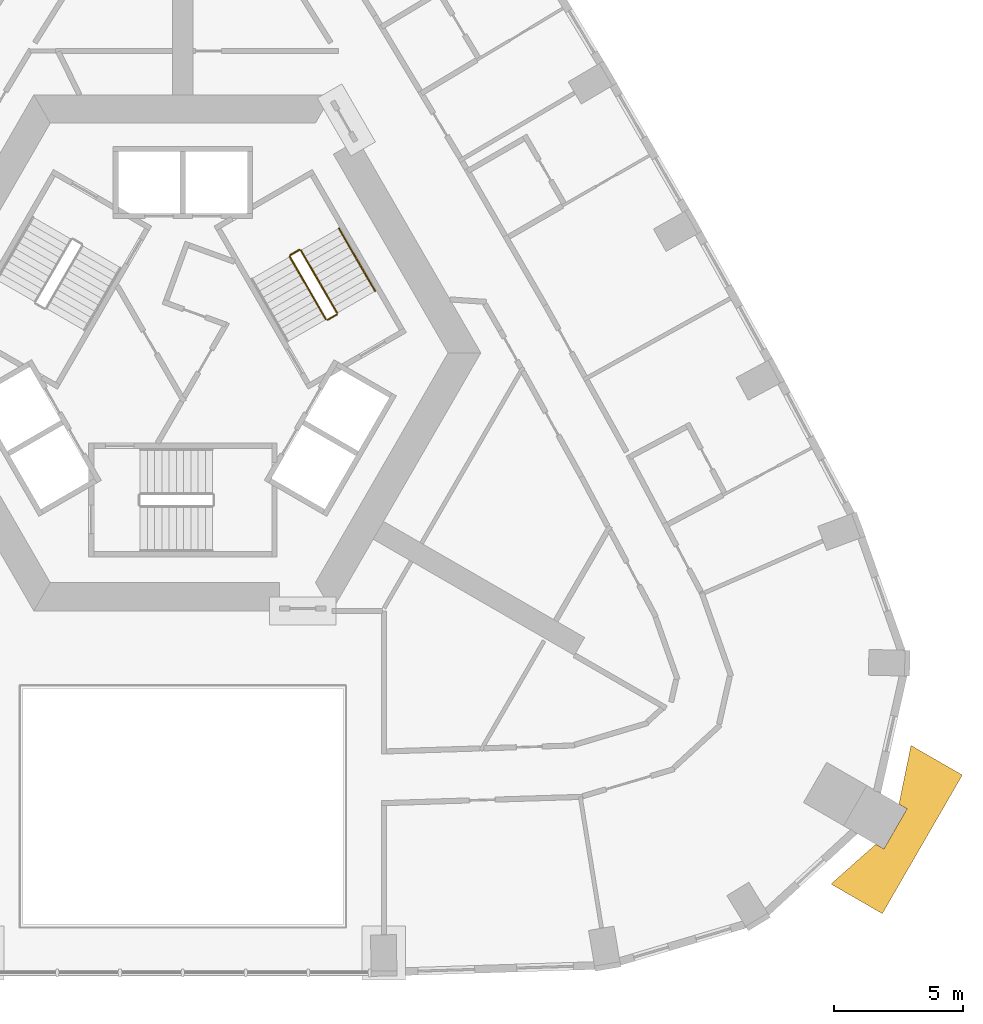
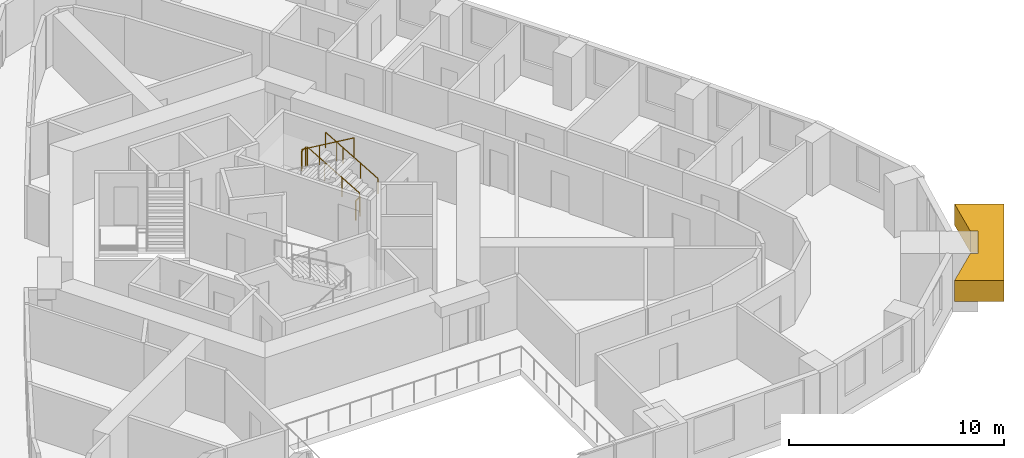
# One storey, part 11 of 12: 5 railings, 1 covering.
"""IFC4 building model written with IfcOpenShell, lengths in metres."""

from ifc_helpers import new_model, si_unit, direction, frame, origin, origin_2d, place, context, subcontext, project, spatial, polyline, circle, outline, extrude, material, type_object, element, save


model = new_model("IFC4")

# Units and contexts
model_context = context("Model", 3, precision=1e-05, world=origin(), true_north=direction((0.0, 1.0)))
body_context = subcontext(model_context, "Body", "Model", "MODEL_VIEW")
ifc_project = project(units=[si_unit("LENGTHUNIT", "METRE"), si_unit("AREAUNIT", "SQUARE_METRE"), si_unit("VOLUMEUNIT", "CUBIC_METRE"), si_unit("PLANEANGLEUNIT", "RADIAN"), si_unit("MASSUNIT", "GRAM", prefix="KILO")], contexts=[model_context])

# Site, building, storey
site_placement = place(None, origin())
site = spatial("IfcSite", under=ifc_project, at=site_placement, CompositionType="ELEMENT")
building_placement = place(site_placement, origin())
building = spatial("IfcBuilding", under=site, at=building_placement, Name="Entoto Arch Interchange Tower", CompositionType="ELEMENT")
storey_placement = place(building_placement, frame((0.0, 0.0, 277.39990234375)))
storey = spatial("IfcBuildingStorey", under=building, at=storey_placement, Name="L64", CompositionType="ELEMENT", Elevation=277.39990234375)

# Covering
ifc_material_1 = material(Name="Board-marked precast concrete C50/60", Category="concrete")
covering_type = type_object("IfcCoveringType", Name="PRECAST FRAME COURSE", PredefinedType="CLADDING", material=ifc_material_1)
covering_placement = place(storey_placement, frame((0.0, 0.0, 1.800048828125)))
element("IfcCovering", 1, at=covering_placement, inside=storey, type_object=covering_type, Name="Corner pilaster head SE L63-L64", PredefinedType="CLADDING", context=body_context, shape_type="SweptSolid", body=[
    extrude(outline(polyline([(30.205078125, -13.85888671875), (27.10498046875, -19.22900390625), (25.115966796875, -18.0810546875), (26.85107421875, -16.5419921875), (27.1650390625, -16.722900390625), (28.06494140625, -15.1650390625), (27.75, -14.98291015625), (28.216064453125, -12.7109375), (30.205078125, -13.85888671875)])), origin(), (0.0, 0.0, 1.0), 1.199951171875),
])

# Railings
ifc_material_2 = material(Name="Stainless steel 1.4301", Category="steel")
railing_type_1 = type_object("IfcRailingType", Name="STAIR GUARD 1100 STEEL", PredefinedType="GUARDRAIL", material=ifc_material_2)
railing_1_placement = place(storey_placement, frame((5.977783203125, 4.046142578125, 0.163818359375)))
element("IfcRailing", 2, at=railing_1_placement, inside=storey, type_object=railing_type_1, Name="L64 ST-NE stair guard 1", PredefinedType="GUARDRAIL", context=body_context, shape_type="SweptSolid", body=[
    extrude(circle(Radius=0.02392578125, at=origin_2d()), frame((0.0, 0.0, 1.076171875), z_axis=(-0.431677027627, 0.74771821388, 0.504551698492), x_axis=(-0.866034573852, -0.49998411664, 0.0)), (0.0, 0.0, 1.0), 3.242919921875),
    extrude(circle(Radius=0.02099609375, at=origin_2d()), origin(), (0.0, 0.0, 1.0), 1.052001953125),
    extrude(circle(Radius=0.02099609375, at=origin_2d()), frame((-0.466552734375, 0.808349609375, 0.54541015625)), (0.0, 0.0, 1.0), 1.052001953125),
    extrude(circle(Radius=0.02099609375, at=origin_2d()), frame((-0.933349609375, 1.616455078125, 1.0908203125)), (0.0, 0.0, 1.0), 1.052001953125),
    extrude(circle(Radius=0.02099609375, at=origin_2d()), frame((-1.39990234375, 2.4248046875, 1.63623046875)), (0.0, 0.0, 1.0), 1.052001953125),
])
railing_2_placement = place(storey_placement, frame((4.509521484375, 6.4892578125, 1.800048828125)))
element("IfcRailing", 3, at=railing_2_placement, inside=storey, type_object=railing_type_1, Name="L64 ST-NE stair guard 2", PredefinedType="GUARDRAIL", context=body_context, shape_type="SweptSolid", body=[
    extrude(circle(Radius=0.02392578125, at=origin_2d()), frame((0.0, 0.0, 1.076171875), z_axis=(-0.866094119867, -0.499880961361, 0.0), x_axis=(0.499880961361, -0.866094119867, 0.0)), (0.0, 0.0, 1.0), 0.39990234375),
    extrude(circle(Radius=0.02099609375, at=origin_2d()), origin(), (0.0, 0.0, 1.0), 1.052001953125),
    extrude(circle(Radius=0.02099609375, at=origin_2d()), frame((-0.346435546875, -0.199951171875, 0.0)), (0.0, 0.0, 1.0), 1.052001953125),
])
railing_3_placement = place(storey_placement, frame((4.144775390625, 6.220947265625, 1.963623046875)))
element("IfcRailing", 4, at=railing_3_placement, inside=storey, type_object=railing_type_1, Name="L64 ST-NE stair guard 3", PredefinedType="GUARDRAIL", context=body_context, shape_type="SweptSolid", body=[
    extrude(circle(Radius=0.02392578125, at=origin_2d()), frame((0.0, 0.0, 1.076171875), z_axis=(0.431721881032, -0.747665513933, 0.504591415616), x_axis=(0.865996816683, 0.500049511043, 0.0)), (0.0, 0.0, 1.0), 3.2431640625),
    extrude(circle(Radius=0.02099609375, at=origin_2d()), origin(), (0.0, 0.0, 1.0), 1.052001953125),
    extrude(circle(Radius=0.02099609375, at=origin_2d()), frame((0.466796875, -0.808349609375, 0.54541015625)), (0.0, 0.0, 1.0), 1.052001953125),
    extrude(circle(Radius=0.02099609375, at=origin_2d()), frame((0.933349609375, -1.616455078125, 1.091064453125)), (0.0, 0.0, 1.0), 1.052001953125),
    extrude(circle(Radius=0.02099609375, at=origin_2d()), frame((1.400146484375, -2.4248046875, 1.636474609375)), (0.0, 0.0, 1.0), 1.052001953125),
])
railing_4_placement = place(storey_placement, frame((5.95947265625, 3.977783203125, 0.0)))
element("IfcRailing", 5, at=railing_4_placement, inside=storey, type_object=railing_type_1, Name="L64 ST-NE stair guard 4", PredefinedType="GUARDRAIL", context=body_context, shape_type="SweptSolid", body=[
    extrude(circle(Radius=0.02392578125, at=origin_2d()), frame((0.0, 0.0, 1.076171875), z_axis=(-0.866094119867, -0.499880961361, 0.0), x_axis=(0.499880961361, -0.866094119867, 0.0)), (0.0, 0.0, 1.0), 0.39990234375),
    extrude(circle(Radius=0.02099609375, at=origin_2d()), origin(), (0.0, 0.0, 1.0), 1.052001953125),
    extrude(circle(Radius=0.02099609375, at=origin_2d()), frame((-0.346435546875, -0.199951171875, 0.0)), (0.0, 0.0, 1.0), 1.052001953125),
])
railing_type_2 = type_object("IfcRailingType", Name="STAIR HANDRAIL 900 STEEL", PredefinedType="HANDRAIL", material=ifc_material_2)
railing_5_placement = place(storey_placement, frame((7.4501953125, 4.89599609375, 0.163818359375)))
element("IfcRailing", 6, at=railing_5_placement, inside=storey, type_object=railing_type_2, Name="L64 ST-NE stair handrail 1", PredefinedType="HANDRAIL", context=body_context, shape_type="SweptSolid", body=[
    extrude(circle(Radius=0.02392578125, at=origin_2d()), frame((0.0, 0.0, 0.8759765625), z_axis=(-0.431713979052, 0.747727106176, 0.504506902808), x_axis=(-0.866018616679, -0.500011755427, 0.0)), (0.0, 0.0, 1.0), 3.2431640625),
    extrude(circle(Radius=0.02099609375, at=origin_2d()), origin(), (0.0, 0.0, 1.0), 0.851806640625),
    extrude(circle(Radius=0.02099609375, at=origin_2d()), frame((-0.466796875, 0.808349609375, 0.54541015625)), (0.0, 0.0, 1.0), 0.851806640625),
    extrude(circle(Radius=0.02099609375, at=origin_2d()), frame((-0.933349609375, 1.61669921875, 1.0908203125)), (0.0, 0.0, 1.0), 0.851806640625),
    extrude(circle(Radius=0.02099609375, at=origin_2d()), frame((-1.400146484375, 2.425048828125, 1.63623046875)), (0.0, 0.0, 1.0), 0.851806640625),
])

save(model, "model.ifc")
